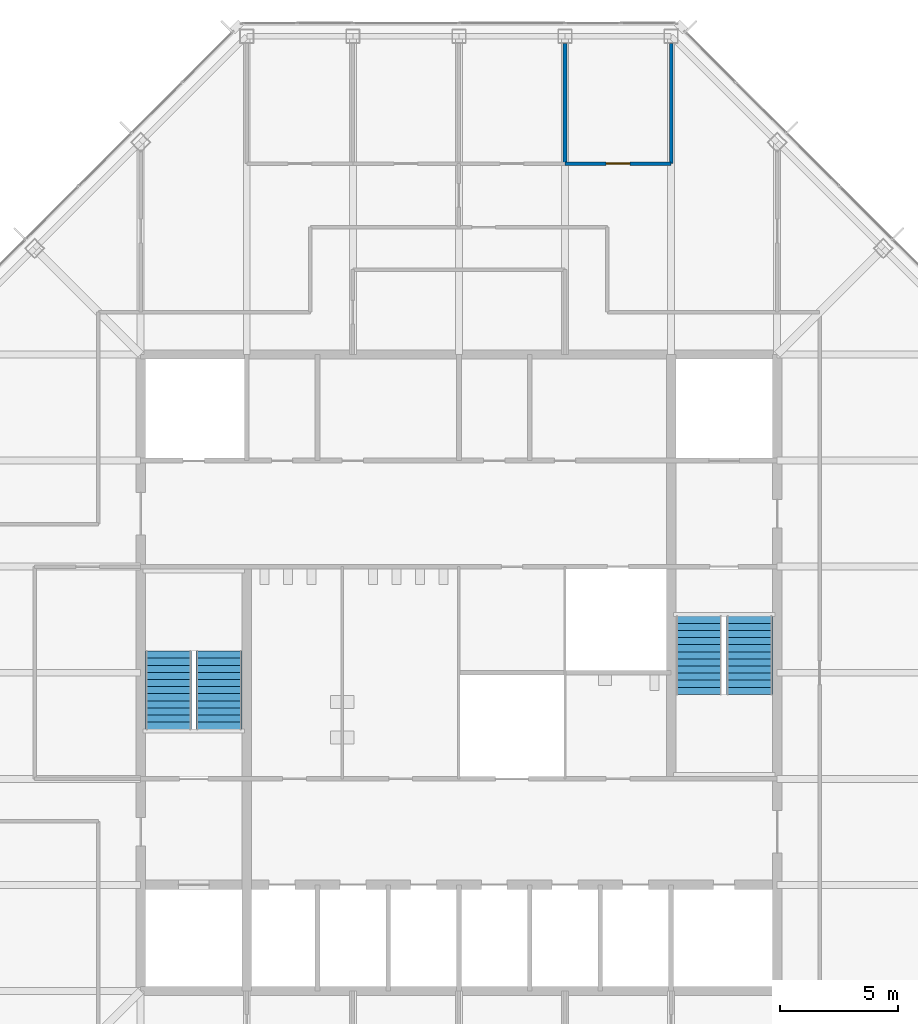
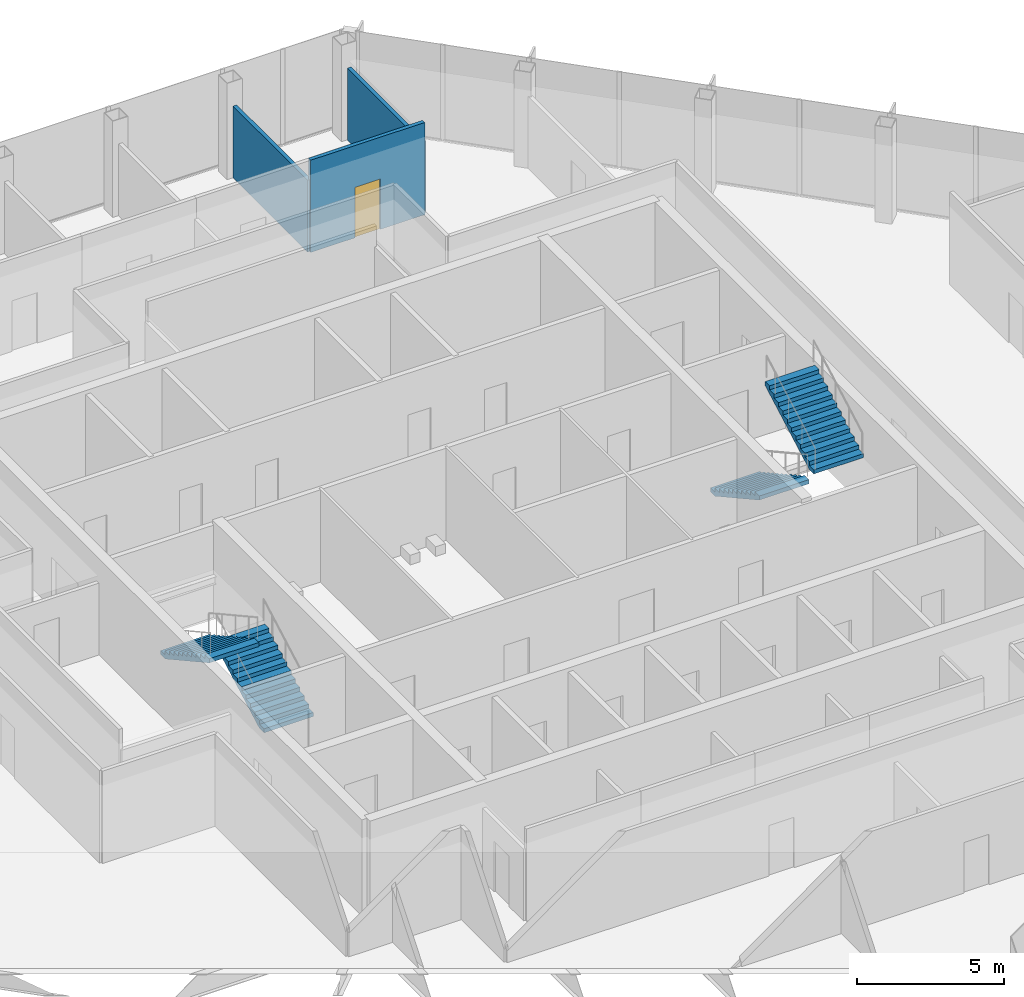
# One storey, part 12 of 14: 4 stair flights, 3 walls, 1 door, 1 opening, 2 elements without a shape of their own.
"""IFC4 building model written with IfcOpenShell, lengths in metres."""

from ifc_helpers import new_model, si_unit, direction, frame, frame_2d, origin, place, context, subcontext, project, spatial, polyline, rectangle, outline, extrude, material, layer, layer_set, type_object, element, fill, aggregate, save


model = new_model("IFC4")

# Units and contexts
model_context = context("Model", 3, precision=1e-05, world=origin(), true_north=direction((0.0, 1.0)))
body_context = subcontext(model_context, "Body", "Model", "MODEL_VIEW")
ifc_project = project(units=[si_unit("LENGTHUNIT", "METRE"), si_unit("AREAUNIT", "SQUARE_METRE"), si_unit("VOLUMEUNIT", "CUBIC_METRE"), si_unit("PLANEANGLEUNIT", "RADIAN"), si_unit("MASSUNIT", "GRAM", prefix="KILO")], contexts=[model_context])

# Site, building, storey
site_placement = place(None, origin())
site = spatial("IfcSite", under=ifc_project, at=site_placement, CompositionType="ELEMENT")
building_placement = place(site_placement, origin())
building = spatial("IfcBuilding", under=site, at=building_placement, Name="Corais Broadcast Tower", CompositionType="ELEMENT")
storey_placement = place(building_placement, frame((0.0, 0.0, 282.60009765625)))
storey = spatial("IfcBuildingStorey", under=building, at=storey_placement, Name="L66", CompositionType="ELEMENT", Elevation=282.60009765625)

# Wall
ifc_material_1 = material(Name="Gypsum board on steel studs", Category="steel")
ifc_layer = layer(ifc_material_1, 0.14990234375)
ifc_layer_set = layer_set([ifc_layer], Name="Gypsum board on steel studs")
wall_type = type_object("IfcWallType", Name="Partition 150", PredefinedType="PARTITIONING", material=ifc_layer_set)
wall_1_placement = place(storey_placement, frame((31.5, 48.60009765625, 0.0), z_axis=(0.0, 0.0, 1.0), x_axis=(0.0, 1.0, 0.0)))
element("IfcWall", 1, at=wall_1_placement, inside=storey, type_object=wall_type, Name="IW3 partition L66", PredefinedType="PARTITIONING", context=body_context, shape_type="SweptSolid", body=[
    extrude(rectangle(XDim=5.08984375, YDim=0.14990234375, at=frame_2d((2.544921875, 0.0))), origin(), (0.0, 0.0, 1.0), 2.989013671875),
])

# Wall, opening, door
wall_2_placement = place(storey_placement, frame((31.5, 48.60009765625, 0.0), z_axis=(0.0, 0.0, 1.0), x_axis=(1.0, 0.0, 0.0)))
wall_2 = element("IfcWall", 2, at=wall_2_placement, inside=storey, type_object=wall_type, Name="IW3 partition L66", PredefinedType="PARTITIONING", context=body_context, shape_type="SweptSolid", body=[
    extrude(rectangle(XDim=4.5, YDim=0.14990234375, at=frame_2d((2.25, 0.0))), origin(), (0.0, 0.0, 1.0), 3.83984375),
])
opening_placement = place(wall_2_placement, frame((1.75, 0.0, 0.0)))
opening = element("IfcOpeningElement", 3, at=opening_placement, cuts=wall_2, Name="Opening D1", PredefinedType="OPENING", context=body_context, shape_type="SweptSolid", body=[
    extrude(rectangle(XDim=1.0, YDim=2.10009765625, at=frame_2d((0.5, 1.050048828125))), frame((0.0, 0.0849609375, 0.0), z_axis=(0.0, -1.0, 0.0), x_axis=(1.0, 0.0, 0.0)), (0.0, 0.0, 1.0), 0.169921875),
])
ifc_material_2 = material(Name="Timber door", Category="wood")
door_type = type_object("IfcDoorType", Name="Single door 1000x2100", OperationType="SINGLE_SWING_LEFT", PredefinedType="DOOR", material=ifc_material_2)
door_placement = place(opening_placement, origin())
door = element("IfcDoor", 4, at=door_placement, inside=storey, type_object=door_type, Name="D1 Assistant office door", OperationType="SINGLE_SWING_LEFT", OverallHeight=2.10009765625, OverallWidth=1.0, PredefinedType="DOOR", context=body_context, shape_type="SweptSolid", body=[
    extrude(rectangle(XDim=1.0, YDim=2.10009765625, at=frame_2d((0.5, 1.050048828125))), frame((0.0, 0.02490234375, 0.0), z_axis=(0.0, -1.0, 0.0), x_axis=(1.0, 0.0, 0.0)), (0.0, 0.0, 1.0), 0.050048828125),
])
fill(opening, door)

# Wall
wall_3_placement = place(storey_placement, frame((36.0, 48.60009765625, 0.0), z_axis=(0.0, 0.0, 1.0), x_axis=(0.0, 1.0, 0.0)))
element("IfcWall", 5, at=wall_3_placement, inside=storey, type_object=wall_type, Name="IW3 partition L66", PredefinedType="PARTITIONING", context=body_context, shape_type="SweptSolid", body=[
    extrude(rectangle(XDim=5.08984375, YDim=0.14990234375, at=frame_2d((2.544921875, 0.0))), origin(), (0.0, 0.0, 1.0), 2.989013671875),
])

# Stair, stair flights
ifc_material_3 = material(Name="Concrete C30/37", Category="concrete")
stair_type = type_object("IfcStairType", Name="Half-turn stair 4000", PredefinedType="HALF_TURN_STAIR", material=ifc_material_3)
stair_1_placement = place(storey_placement, origin())
stair_1 = element("IfcStair", 6, at=stair_1_placement, inside=storey, type_object=stair_type, Name="Stair A L66", PredefinedType="HALF_TURN_STAIR")
ifc_material_4 = material(Name="Concrete C30/37", Category="concrete")
stair_flight_type = type_object("IfcStairFlightType", Name="Stair flight 4000", PredefinedType="STRAIGHT", material=ifc_material_4)
stair_flight_1_placement = place(storey_placement, frame((16.824951171875, 24.60009765625, 0.0), z_axis=(0.0, 0.0, 1.0), x_axis=(0.0, 1.0, 0.0)))
stair_flight_1 = element("IfcStairFlight", 7, at=stair_flight_1_placement, type_object=stair_flight_type, Name="STA flight 1", NumberOfRisers=12, NumberOfTreads=11, PredefinedType="STRAIGHT", RiserHeight=0.166666667, TreadLength=0.302, context=body_context, shape_type="SweptSolid", body=[
    extrude(outline(polyline([(0.0, 0.0), (0.0, 0.166748046875), (0.302001953125, 0.166748046875), (0.302001953125, 0.333251953125), (0.60400390625, 0.333251953125), (0.60400390625, 0.5), (0.906005859375, 0.5), (0.906005859375, 0.666748046875), (1.2080078125, 0.666748046875), (1.2080078125, 0.833251953125), (1.510009765625, 0.833251953125), (1.510009765625, 1.0), (1.81201171875, 1.0), (1.81201171875, 1.166748046875), (2.114013671875, 1.166748046875), (2.114013671875, 1.333251953125), (2.416015625, 1.333251953125), (2.416015625, 1.5), (2.718017578125, 1.5), (2.718017578125, 1.666748046875), (3.02001953125, 1.666748046875), (3.02001953125, 1.833251953125), (3.322021484375, 1.833251953125), (3.322021484375, 2.0), (3.322021484375, 1.662109375), (0.310302734375, 0.0), (0.0, 0.0)])), frame((0.0, 0.97509765625, 0.0), z_axis=(0.0, -1.0, 0.0), x_axis=(1.0, 0.0, 0.0)), (0.0, 0.0, 1.0), 1.949951171875),
])
stair_flight_2_placement = place(storey_placement, frame((14.675048828125, 27.922119140625, 2.0), z_axis=(0.0, 0.0, 1.0), x_axis=(0.0, -1.0, 0.0)))
stair_flight_2 = element("IfcStairFlight", 8, at=stair_flight_2_placement, type_object=stair_flight_type, Name="STA flight 2", NumberOfRisers=12, NumberOfTreads=11, PredefinedType="STRAIGHT", RiserHeight=0.166666667, TreadLength=0.302, context=body_context, shape_type="SweptSolid", body=[
    extrude(outline(polyline([(0.0, 0.0), (0.0, 0.166748046875), (0.302001953125, 0.166748046875), (0.302001953125, 0.333251953125), (0.60400390625, 0.333251953125), (0.60400390625, 0.5), (0.906005859375, 0.5), (0.906005859375, 0.666748046875), (1.2080078125, 0.666748046875), (1.2080078125, 0.833251953125), (1.510009765625, 0.833251953125), (1.510009765625, 1.0), (1.81201171875, 1.0), (1.81201171875, 1.166748046875), (2.114013671875, 1.166748046875), (2.114013671875, 1.333251953125), (2.416015625, 1.333251953125), (2.416015625, 1.5), (2.718017578125, 1.5), (2.718017578125, 1.666748046875), (3.02001953125, 1.666748046875), (3.02001953125, 1.833251953125), (3.322021484375, 1.833251953125), (3.322021484375, 2.0), (3.322021484375, 1.662109375), (0.310302734375, 0.0), (0.0, 0.0)])), frame((0.0, 0.97509765625, 0.0), z_axis=(0.0, -1.0, 0.0), x_axis=(1.0, 0.0, 0.0)), (0.0, 0.0, 1.0), 1.949951171875),
])
aggregate(stair_1, [stair_flight_1, stair_flight_2])

stair_2_placement = place(storey_placement, origin())
stair_2 = element("IfcStair", 9, at=stair_2_placement, inside=storey, type_object=stair_type, Name="Stair B L66", PredefinedType="HALF_TURN_STAIR")
stair_flight_3_placement = place(storey_placement, frame((37.175048828125, 29.39990234375, 0.0), z_axis=(0.0, 0.0, 1.0), x_axis=(0.0, -1.0, 0.0)))
stair_flight_3 = element("IfcStairFlight", 10, at=stair_flight_3_placement, type_object=stair_flight_type, Name="STB flight 1", NumberOfRisers=12, NumberOfTreads=11, PredefinedType="STRAIGHT", RiserHeight=0.166666667, TreadLength=0.302, context=body_context, shape_type="SweptSolid", body=[
    extrude(outline(polyline([(0.0, 0.0), (0.0, 0.166748046875), (0.302001953125, 0.166748046875), (0.302001953125, 0.333251953125), (0.60400390625, 0.333251953125), (0.60400390625, 0.5), (0.906005859375, 0.5), (0.906005859375, 0.666748046875), (1.2080078125, 0.666748046875), (1.2080078125, 0.833251953125), (1.510009765625, 0.833251953125), (1.510009765625, 1.0), (1.81201171875, 1.0), (1.81201171875, 1.166748046875), (2.114013671875, 1.166748046875), (2.114013671875, 1.333251953125), (2.416015625, 1.333251953125), (2.416015625, 1.5), (2.718017578125, 1.5), (2.718017578125, 1.666748046875), (3.02001953125, 1.666748046875), (3.02001953125, 1.833251953125), (3.322021484375, 1.833251953125), (3.322021484375, 2.0), (3.322021484375, 1.662109375), (0.310302734375, 0.0), (0.0, 0.0)])), frame((0.0, 0.97509765625, 0.0), z_axis=(0.0, -1.0, 0.0), x_axis=(1.0, 0.0, 0.0)), (0.0, 0.0, 1.0), 1.949951171875),
])
stair_flight_4_placement = place(storey_placement, frame((39.324951171875, 26.077880859375, 2.0), z_axis=(0.0, 0.0, 1.0), x_axis=(0.0, 1.0, 0.0)))
stair_flight_4 = element("IfcStairFlight", 11, at=stair_flight_4_placement, type_object=stair_flight_type, Name="STB flight 2", NumberOfRisers=12, NumberOfTreads=11, PredefinedType="STRAIGHT", RiserHeight=0.166666667, TreadLength=0.302, context=body_context, shape_type="SweptSolid", body=[
    extrude(outline(polyline([(0.0, 0.0), (0.0, 0.166748046875), (0.302001953125, 0.166748046875), (0.302001953125, 0.333251953125), (0.60400390625, 0.333251953125), (0.60400390625, 0.5), (0.906005859375, 0.5), (0.906005859375, 0.666748046875), (1.2080078125, 0.666748046875), (1.2080078125, 0.833251953125), (1.510009765625, 0.833251953125), (1.510009765625, 1.0), (1.81201171875, 1.0), (1.81201171875, 1.166748046875), (2.114013671875, 1.166748046875), (2.114013671875, 1.333251953125), (2.416015625, 1.333251953125), (2.416015625, 1.5), (2.718017578125, 1.5), (2.718017578125, 1.666748046875), (3.02001953125, 1.666748046875), (3.02001953125, 1.833251953125), (3.322021484375, 1.833251953125), (3.322021484375, 2.0), (3.322021484375, 1.662109375), (0.310302734375, 0.0), (0.0, 0.0)])), frame((0.0, 0.97509765625, 0.0), z_axis=(0.0, -1.0, 0.0), x_axis=(1.0, 0.0, 0.0)), (0.0, 0.0, 1.0), 1.949951171875),
])
aggregate(stair_2, [stair_flight_3, stair_flight_4])

save(model, "model.ifc")
